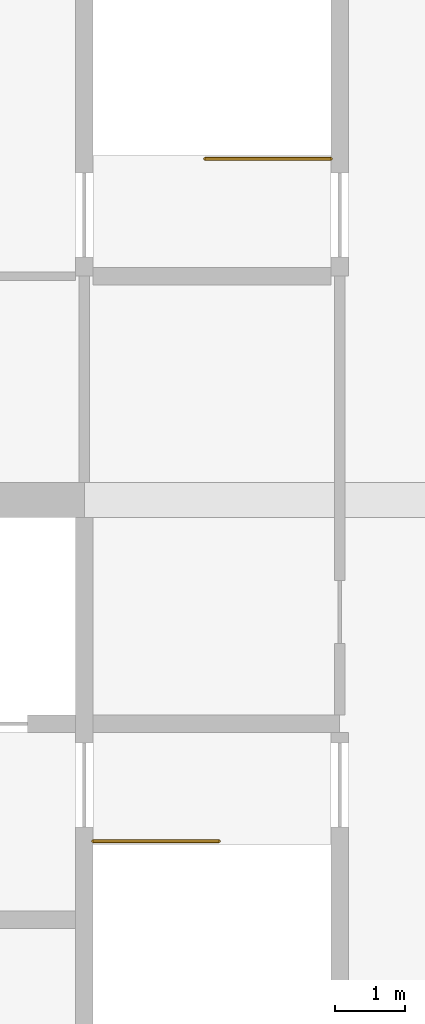
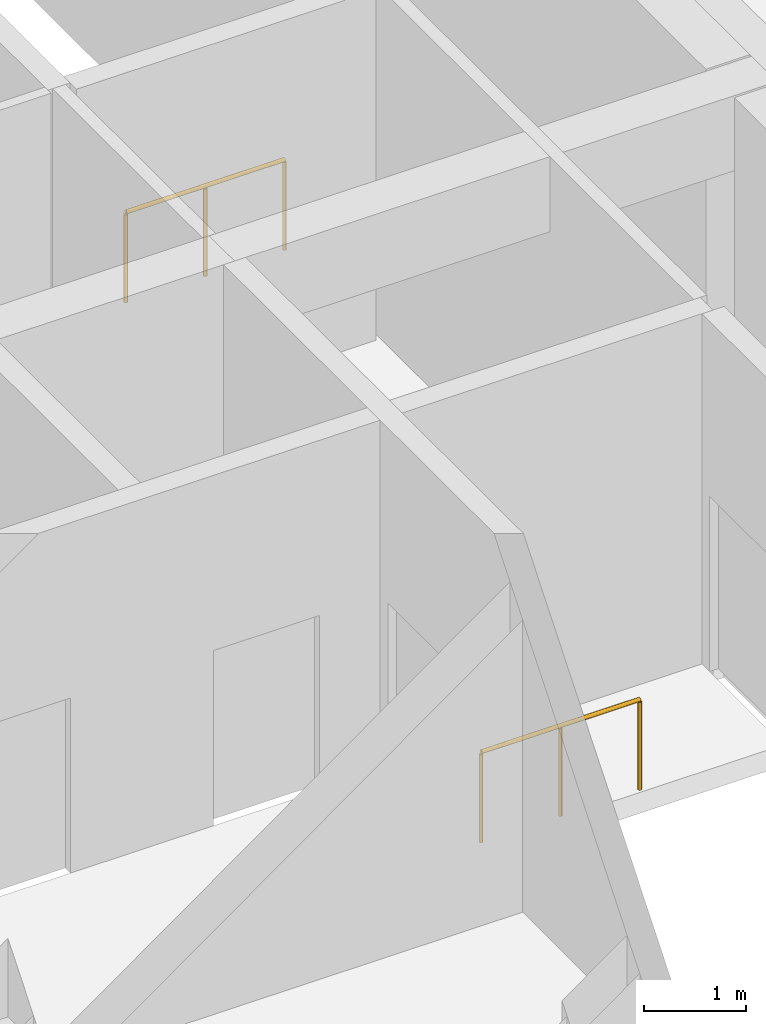
# One storey, part 6 of 6: 2 railings.
"""IFC4 building model written with IfcOpenShell, lengths in metres."""

from ifc_helpers import new_model, si_unit, direction, frame, origin, origin_2d, place, context, subcontext, project, spatial, circle, extrude, material, type_object, element, save


model = new_model("IFC4")

# Units and contexts
model_context = context("Model", 3, precision=1e-05, world=origin(), true_north=direction((0.0, 1.0)))
body_context = subcontext(model_context, "Body", "Model", "MODEL_VIEW")
ifc_project = project(units=[si_unit("LENGTHUNIT", "METRE"), si_unit("AREAUNIT", "SQUARE_METRE"), si_unit("VOLUMEUNIT", "CUBIC_METRE"), si_unit("PLANEANGLEUNIT", "RADIAN"), si_unit("MASSUNIT", "GRAM", prefix="KILO")], contexts=[model_context])

# Site, building, storey
site_placement = place(None, origin())
site = spatial("IfcSite", under=ifc_project, at=site_placement, CompositionType="ELEMENT")
building_placement = place(site_placement, origin())
building = spatial("IfcBuilding", under=site, at=building_placement, Name="Tessera Gate Towers", CompositionType="ELEMENT")
storey_placement = place(building_placement, frame((0.0, 0.0, 265.699951171875)))
storey = spatial("IfcBuildingStorey", under=building, at=storey_placement, Name="L66", CompositionType="ELEMENT", Elevation=265.699951171875)

# Railings
ifc_material = material(Name="Steel 350W", Category="steel")
railing_type = type_object("IfcRailingType", Name="STAIR GUARD 1100", PredefinedType="GUARDRAIL", material=ifc_material)
railing_1_placement = place(storey_placement, frame((48.47509765625, 31.72509765625, 0.0)))
element("IfcRailing", 1, at=railing_1_placement, inside=storey, type_object=railing_type, Name="L66 ST1 top well guard 1", PredefinedType="GUARDRAIL", context=body_context, shape_type="SweptSolid", body=[
    extrude(circle(Radius=0.02392578125, at=origin_2d()), frame((0.0, 0.0, 1.076171875), z_axis=(1.0, 0.0, 0.0), x_axis=(0.0, 1.0, 0.0)), (0.0, 0.0, 1.0), 1.7998046875),
    extrude(circle(Radius=0.02099609375, at=origin_2d()), origin(), (0.0, 0.0, 1.0), 1.052001953125),
    extrude(circle(Radius=0.02099609375, at=origin_2d()), frame((0.89990234375, 0.0, 0.0)), (0.0, 0.0, 1.0), 1.052001953125),
    extrude(circle(Radius=0.02099609375, at=origin_2d()), frame((1.7998046875, 0.0, 0.0)), (0.0, 0.0, 1.0), 1.052001953125),
])
railing_2_placement = place(storey_placement, frame((51.875, 41.47509765625, 0.0)))
element("IfcRailing", 2, at=railing_2_placement, inside=storey, type_object=railing_type, Name="L66 ST2 top well guard 1", PredefinedType="GUARDRAIL", context=body_context, shape_type="SweptSolid", body=[
    extrude(circle(Radius=0.02392578125, at=origin_2d()), frame((0.0, 0.0, 1.076171875), z_axis=(-1.0, 0.0, 0.0), x_axis=(0.0, -1.0, 0.0)), (0.0, 0.0, 1.0), 1.800048828125),
    extrude(circle(Radius=0.02099609375, at=origin_2d()), origin(), (0.0, 0.0, 1.0), 1.052001953125),
    extrude(circle(Radius=0.02099609375, at=origin_2d()), frame((-0.89990234375, 0.0, 0.0)), (0.0, 0.0, 1.0), 1.052001953125),
    extrude(circle(Radius=0.02099609375, at=origin_2d()), frame((-1.800048828125, 0.0, 0.0)), (0.0, 0.0, 1.0), 1.052001953125),
])

save(model, "model.ifc")
